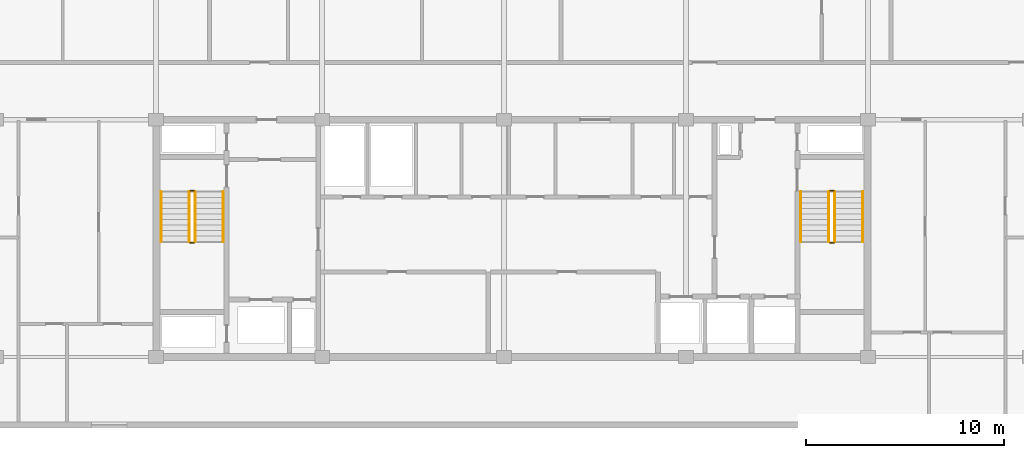
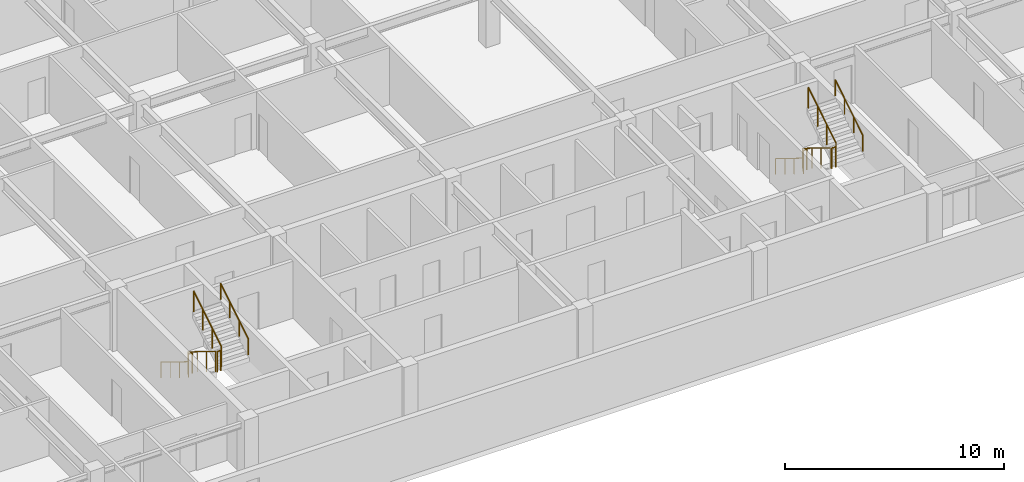
# One storey, part 10 of 11: 12 railings.
"""IFC4 building model written with IfcOpenShell, lengths in metres."""

from ifc_helpers import new_model, si_unit, direction, frame, origin, origin_2d, place, context, subcontext, project, spatial, circle, extrude, material, type_object, element, save


model = new_model("IFC4")

# Units and contexts
model_context = context("Model", 3, precision=1e-05, world=origin(), true_north=direction((0.0, 1.0)))
body_context = subcontext(model_context, "Body", "Model", "MODEL_VIEW")
ifc_project = project(units=[si_unit("LENGTHUNIT", "METRE"), si_unit("AREAUNIT", "SQUARE_METRE"), si_unit("VOLUMEUNIT", "CUBIC_METRE"), si_unit("PLANEANGLEUNIT", "RADIAN"), si_unit("MASSUNIT", "GRAM", prefix="KILO")], contexts=[model_context])

# Site, building, storey
site_placement = place(None, origin())
site = spatial("IfcSite", under=ifc_project, at=site_placement, CompositionType="ELEMENT")
building_placement = place(site_placement, origin())
building = spatial("IfcBuilding", under=site, at=building_placement, Name="Korimba Cascade Residences", CompositionType="ELEMENT")
storey_placement = place(building_placement, frame((0.0, 0.0, 252.800048828125)))
storey = spatial("IfcBuildingStorey", under=building, at=storey_placement, Name="L73", CompositionType="ELEMENT", Elevation=252.800048828125)

# Railings
ifc_material_1 = material(Name="Painted Steel Stairwell Guardrail", Category="steel")
railing_type_1 = type_object("IfcRailingType", Name="RLG-ST-GD1150", PredefinedType="GUARDRAIL", material=ifc_material_1)
railing_1_placement = place(storey_placement, frame((77.77001953125, 63.550048828125, 0.17236328125)))
element("IfcRailing", 1, at=railing_1_placement, inside=storey, type_object=railing_type_1, Name="L73 ST-W1 stair guard 1", PredefinedType="GUARDRAIL", context=body_context, shape_type="SweptSolid", body=[
    extrude(circle(Radius=0.02392578125, at=origin_2d()), frame((0.0, 0.0, 1.1259765625), z_axis=(0.0, -0.851400495292, 0.524516154772), x_axis=(1.0, 0.0, 0.0)), (0.0, 0.0, 1.0), 2.9599609375),
    extrude(circle(Radius=0.02099609375, at=origin_2d()), origin(), (0.0, 0.0, 1.0), 1.101806640625),
    extrude(circle(Radius=0.02099609375, at=origin_2d()), frame((0.0, -0.840087890625, 0.517578125)), (0.0, 0.0, 1.0), 1.101806640625),
    extrude(circle(Radius=0.02099609375, at=origin_2d()), frame((0.0, -1.679931640625, 1.034912109375)), (0.0, 0.0, 1.0), 1.101806640625),
    extrude(circle(Radius=0.02099609375, at=origin_2d()), frame((0.0, -2.52001953125, 1.552490234375)), (0.0, 0.0, 1.0), 1.101806640625),
])
railing_2_placement = place(storey_placement, frame((77.820068359375, 60.97998046875, 1.724853515625)))
element("IfcRailing", 2, at=railing_2_placement, inside=storey, type_object=railing_type_1, Name="L73 ST-W1 stair guard 2", PredefinedType="GUARDRAIL", context=body_context, shape_type="SweptSolid", body=[
    extrude(circle(Radius=0.02392578125, at=origin_2d()), frame((0.0, 0.0, 1.1259765625), z_axis=(1.0, 0.0, 0.0), x_axis=(0.0, 1.0, 0.0)), (0.0, 0.0, 1.0), 0.199951171875),
    extrude(circle(Radius=0.02099609375, at=origin_2d()), origin(), (0.0, 0.0, 1.0), 1.101806640625),
    extrude(circle(Radius=0.02099609375, at=origin_2d()), frame((0.199951171875, 0.0, 0.0)), (0.0, 0.0, 1.0), 1.101806640625),
])
railing_3_placement = place(storey_placement, frame((78.070068359375, 61.030029296875, 1.8974609375)))
element("IfcRailing", 3, at=railing_3_placement, inside=storey, type_object=railing_type_1, Name="L73 ST-W1 stair guard 3", PredefinedType="GUARDRAIL", context=body_context, shape_type="SweptSolid", body=[
    extrude(circle(Radius=0.02392578125, at=origin_2d()), frame((0.0, 0.0, 1.1259765625), z_axis=(0.0, 0.851400495292, 0.524516154772), x_axis=(-1.0, 0.0, 0.0)), (0.0, 0.0, 1.0), 2.9599609375),
    extrude(circle(Radius=0.02099609375, at=origin_2d()), origin(), (0.0, 0.0, 1.0), 1.101806640625),
    extrude(circle(Radius=0.02099609375, at=origin_2d()), frame((0.0, 0.840087890625, 0.517578125)), (0.0, 0.0, 1.0), 1.101806640625),
    extrude(circle(Radius=0.02099609375, at=origin_2d()), frame((0.0, 1.679931640625, 1.034912109375)), (0.0, 0.0, 1.0), 1.101806640625),
    extrude(circle(Radius=0.02099609375, at=origin_2d()), frame((0.0, 2.52001953125, 1.552490234375)), (0.0, 0.0, 1.0), 1.101806640625),
])
railing_4_placement = place(storey_placement, frame((77.820068359375, 63.60009765625, 0.0)))
element("IfcRailing", 4, at=railing_4_placement, inside=storey, type_object=railing_type_1, Name="L73 ST-W1 stair guard 4", PredefinedType="GUARDRAIL", context=body_context, shape_type="SweptSolid", body=[
    extrude(circle(Radius=0.02392578125, at=origin_2d()), frame((0.0, 0.0, 1.1259765625), z_axis=(1.0, 0.0, 0.0), x_axis=(0.0, 1.0, 0.0)), (0.0, 0.0, 1.0), 0.199951171875),
    extrude(circle(Radius=0.02099609375, at=origin_2d()), origin(), (0.0, 0.0, 1.0), 1.101806640625),
    extrude(circle(Radius=0.02099609375, at=origin_2d()), frame((0.199951171875, 0.0, 0.0)), (0.0, 0.0, 1.0), 1.101806640625),
])
railing_5_placement = place(storey_placement, frame((110.1298828125, 63.550048828125, 0.17236328125)))
element("IfcRailing", 5, at=railing_5_placement, inside=storey, type_object=railing_type_1, Name="L73 ST-W2 stair guard 1", PredefinedType="GUARDRAIL", context=body_context, shape_type="SweptSolid", body=[
    extrude(circle(Radius=0.02392578125, at=origin_2d()), frame((0.0, 0.0, 1.1259765625), z_axis=(0.0, -0.851400495292, 0.524516154772), x_axis=(1.0, 0.0, 0.0)), (0.0, 0.0, 1.0), 2.9599609375),
    extrude(circle(Radius=0.02099609375, at=origin_2d()), origin(), (0.0, 0.0, 1.0), 1.101806640625),
    extrude(circle(Radius=0.02099609375, at=origin_2d()), frame((0.0, -0.840087890625, 0.517578125)), (0.0, 0.0, 1.0), 1.101806640625),
    extrude(circle(Radius=0.02099609375, at=origin_2d()), frame((0.0, -1.679931640625, 1.034912109375)), (0.0, 0.0, 1.0), 1.101806640625),
    extrude(circle(Radius=0.02099609375, at=origin_2d()), frame((0.0, -2.52001953125, 1.552490234375)), (0.0, 0.0, 1.0), 1.101806640625),
])
railing_6_placement = place(storey_placement, frame((110.179931640625, 60.97998046875, 1.724853515625)))
element("IfcRailing", 6, at=railing_6_placement, inside=storey, type_object=railing_type_1, Name="L73 ST-W2 stair guard 2", PredefinedType="GUARDRAIL", context=body_context, shape_type="SweptSolid", body=[
    extrude(circle(Radius=0.02392578125, at=origin_2d()), frame((0.0, 0.0, 1.1259765625), z_axis=(1.0, 0.0, 0.0), x_axis=(0.0, 1.0, 0.0)), (0.0, 0.0, 1.0), 0.199951171875),
    extrude(circle(Radius=0.02099609375, at=origin_2d()), origin(), (0.0, 0.0, 1.0), 1.101806640625),
    extrude(circle(Radius=0.02099609375, at=origin_2d()), frame((0.199951171875, 0.0, 0.0)), (0.0, 0.0, 1.0), 1.101806640625),
])
railing_7_placement = place(storey_placement, frame((110.429931640625, 61.030029296875, 1.8974609375)))
element("IfcRailing", 7, at=railing_7_placement, inside=storey, type_object=railing_type_1, Name="L73 ST-W2 stair guard 3", PredefinedType="GUARDRAIL", context=body_context, shape_type="SweptSolid", body=[
    extrude(circle(Radius=0.02392578125, at=origin_2d()), frame((0.0, 0.0, 1.1259765625), z_axis=(0.0, 0.851400495292, 0.524516154772), x_axis=(-1.0, 0.0, 0.0)), (0.0, 0.0, 1.0), 2.9599609375),
    extrude(circle(Radius=0.02099609375, at=origin_2d()), origin(), (0.0, 0.0, 1.0), 1.101806640625),
    extrude(circle(Radius=0.02099609375, at=origin_2d()), frame((0.0, 0.840087890625, 0.517578125)), (0.0, 0.0, 1.0), 1.101806640625),
    extrude(circle(Radius=0.02099609375, at=origin_2d()), frame((0.0, 1.679931640625, 1.034912109375)), (0.0, 0.0, 1.0), 1.101806640625),
    extrude(circle(Radius=0.02099609375, at=origin_2d()), frame((0.0, 2.52001953125, 1.552490234375)), (0.0, 0.0, 1.0), 1.101806640625),
])
railing_8_placement = place(storey_placement, frame((110.179931640625, 63.60009765625, 0.0)))
element("IfcRailing", 8, at=railing_8_placement, inside=storey, type_object=railing_type_1, Name="L73 ST-W2 stair guard 4", PredefinedType="GUARDRAIL", context=body_context, shape_type="SweptSolid", body=[
    extrude(circle(Radius=0.02392578125, at=origin_2d()), frame((0.0, 0.0, 1.1259765625), z_axis=(1.0, 0.0, 0.0), x_axis=(0.0, 1.0, 0.0)), (0.0, 0.0, 1.0), 0.199951171875),
    extrude(circle(Radius=0.02099609375, at=origin_2d()), origin(), (0.0, 0.0, 1.0), 1.101806640625),
    extrude(circle(Radius=0.02099609375, at=origin_2d()), frame((0.199951171875, 0.0, 0.0)), (0.0, 0.0, 1.0), 1.101806640625),
])
ifc_material_2 = material(Name="Brushed Stainless Steel Handrail", Category="steel")
railing_type_2 = type_object("IfcRailingType", Name="RLG-ST-HR900", PredefinedType="HANDRAIL", material=ifc_material_2)
railing_9_placement = place(storey_placement, frame((76.35009765625, 63.550048828125, 0.3486328125)))
element("IfcRailing", 9, at=railing_9_placement, inside=storey, type_object=railing_type_2, Name="L73 ST-W1 stair handrail 1", PredefinedType="HANDRAIL", context=body_context, shape_type="SweptSolid", body=[
    extrude(circle(Radius=0.02392578125, at=origin_2d()), frame((0.0, 0.0, 0.8759765625), z_axis=(0.0, -0.851400495292, 0.524516154772), x_axis=(1.0, 0.0, 0.0)), (0.0, 0.0, 1.0), 2.9599609375),
    extrude(circle(Radius=0.02099609375, at=origin_2d()), origin(), (0.0, 0.0, 1.0), 0.851806640625),
    extrude(circle(Radius=0.02099609375, at=origin_2d()), frame((0.0, -0.840087890625, 0.517578125)), (0.0, 0.0, 1.0), 0.851806640625),
    extrude(circle(Radius=0.02099609375, at=origin_2d()), frame((0.0, -1.679931640625, 1.034912109375)), (0.0, 0.0, 1.0), 0.851806640625),
    extrude(circle(Radius=0.02099609375, at=origin_2d()), frame((0.0, -2.52001953125, 1.552490234375)), (0.0, 0.0, 1.0), 0.851806640625),
])
railing_10_placement = place(storey_placement, frame((79.489990234375, 61.030029296875, 2.073486328125)))
element("IfcRailing", 10, at=railing_10_placement, inside=storey, type_object=railing_type_2, Name="L73 ST-W1 stair handrail 2", PredefinedType="HANDRAIL", context=body_context, shape_type="SweptSolid", body=[
    extrude(circle(Radius=0.02392578125, at=origin_2d()), frame((0.0, 0.0, 0.8759765625), z_axis=(0.0, 0.851400495292, 0.524516154772), x_axis=(-1.0, 0.0, 0.0)), (0.0, 0.0, 1.0), 2.9599609375),
    extrude(circle(Radius=0.02099609375, at=origin_2d()), origin(), (0.0, 0.0, 1.0), 0.851806640625),
    extrude(circle(Radius=0.02099609375, at=origin_2d()), frame((0.0, 0.840087890625, 0.517578125)), (0.0, 0.0, 1.0), 0.851806640625),
    extrude(circle(Radius=0.02099609375, at=origin_2d()), frame((0.0, 1.679931640625, 1.034912109375)), (0.0, 0.0, 1.0), 0.851806640625),
    extrude(circle(Radius=0.02099609375, at=origin_2d()), frame((0.0, 2.52001953125, 1.552490234375)), (0.0, 0.0, 1.0), 0.851806640625),
])
railing_11_placement = place(storey_placement, frame((108.7099609375, 63.550048828125, 0.3486328125)))
element("IfcRailing", 11, at=railing_11_placement, inside=storey, type_object=railing_type_2, Name="L73 ST-W2 stair handrail 1", PredefinedType="HANDRAIL", context=body_context, shape_type="SweptSolid", body=[
    extrude(circle(Radius=0.02392578125, at=origin_2d()), frame((0.0, 0.0, 0.8759765625), z_axis=(0.0, -0.851400495292, 0.524516154772), x_axis=(1.0, 0.0, 0.0)), (0.0, 0.0, 1.0), 2.9599609375),
    extrude(circle(Radius=0.02099609375, at=origin_2d()), origin(), (0.0, 0.0, 1.0), 0.851806640625),
    extrude(circle(Radius=0.02099609375, at=origin_2d()), frame((0.0, -0.840087890625, 0.517578125)), (0.0, 0.0, 1.0), 0.851806640625),
    extrude(circle(Radius=0.02099609375, at=origin_2d()), frame((0.0, -1.679931640625, 1.034912109375)), (0.0, 0.0, 1.0), 0.851806640625),
    extrude(circle(Radius=0.02099609375, at=origin_2d()), frame((0.0, -2.52001953125, 1.552490234375)), (0.0, 0.0, 1.0), 0.851806640625),
])
railing_12_placement = place(storey_placement, frame((111.85009765625, 61.030029296875, 2.073486328125)))
element("IfcRailing", 12, at=railing_12_placement, inside=storey, type_object=railing_type_2, Name="L73 ST-W2 stair handrail 2", PredefinedType="HANDRAIL", context=body_context, shape_type="SweptSolid", body=[
    extrude(circle(Radius=0.02392578125, at=origin_2d()), frame((0.0, 0.0, 0.8759765625), z_axis=(0.0, 0.851400495292, 0.524516154772), x_axis=(-1.0, 0.0, 0.0)), (0.0, 0.0, 1.0), 2.9599609375),
    extrude(circle(Radius=0.02099609375, at=origin_2d()), origin(), (0.0, 0.0, 1.0), 0.851806640625),
    extrude(circle(Radius=0.02099609375, at=origin_2d()), frame((0.0, 0.840087890625, 0.517578125)), (0.0, 0.0, 1.0), 0.851806640625),
    extrude(circle(Radius=0.02099609375, at=origin_2d()), frame((0.0, 1.679931640625, 1.034912109375)), (0.0, 0.0, 1.0), 0.851806640625),
    extrude(circle(Radius=0.02099609375, at=origin_2d()), frame((0.0, 2.52001953125, 1.552490234375)), (0.0, 0.0, 1.0), 0.851806640625),
])

save(model, "model.ifc")
